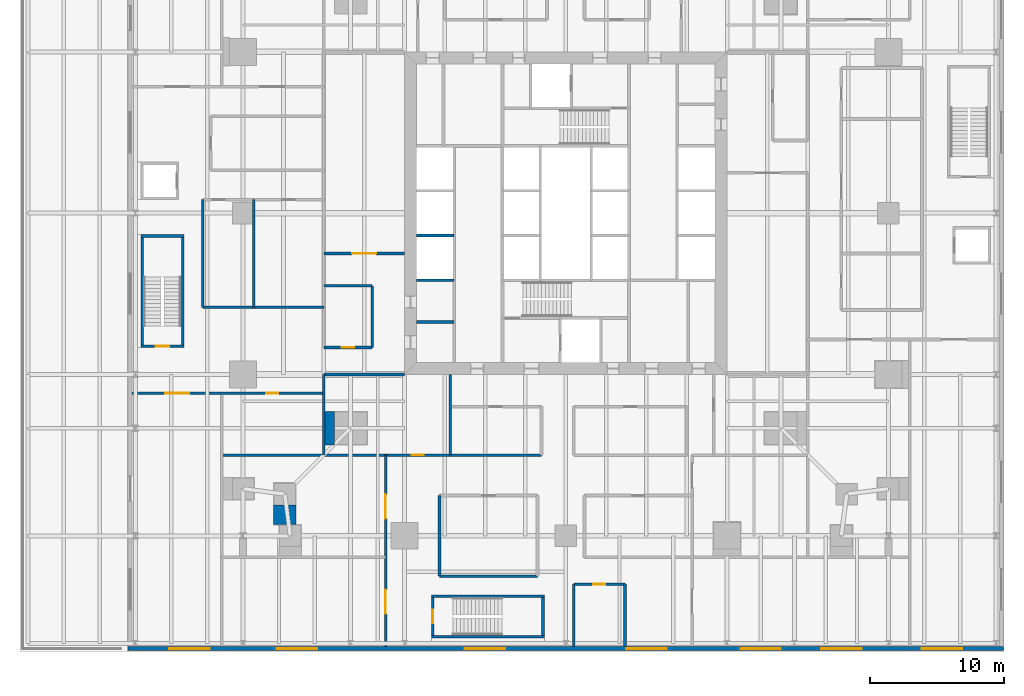
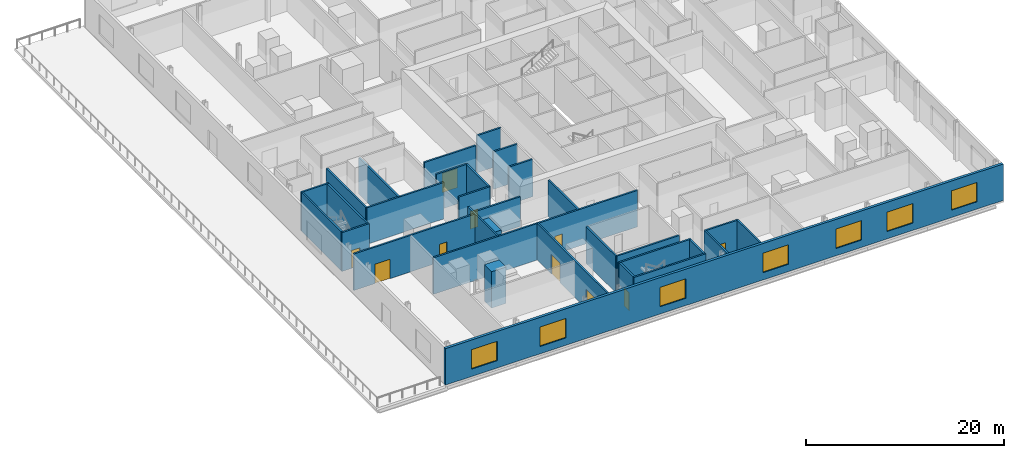
# One storey, part 8 of 17: 32 walls, 10 doors, 7 windows, 17 openings.
"""IFC4 building model written with IfcOpenShell, lengths in metres."""

from ifc_helpers import new_model, si_unit, direction, frame, frame_2d, origin, place, context, subcontext, project, spatial, rectangle, extrude, material, layer, layer_set, type_object, element, fill, save


model = new_model("IFC4")

# Units and contexts
model_context = context("Model", 3, precision=1e-05, world=origin(), true_north=direction((0.0, 1.0)))
body_context = subcontext(model_context, "Body", "Model", "MODEL_VIEW")
ifc_project = project(units=[si_unit("LENGTHUNIT", "METRE"), si_unit("AREAUNIT", "SQUARE_METRE"), si_unit("VOLUMEUNIT", "CUBIC_METRE"), si_unit("PLANEANGLEUNIT", "RADIAN"), si_unit("MASSUNIT", "GRAM", prefix="KILO")], contexts=[model_context])

# Site, building, storey
site_placement = place(None, origin())
site = spatial("IfcSite", under=ifc_project, at=site_placement, CompositionType="ELEMENT")
building_placement = place(site_placement, origin())
building = spatial("IfcBuilding", under=site, at=building_placement, Name="Fenwick Lantern Interchange", CompositionType="ELEMENT")
storey_placement = place(building_placement, frame((0.0, 0.0, 21.39990234375)))
storey = spatial("IfcBuildingStorey", under=building, at=storey_placement, Name="L04", CompositionType="ELEMENT", Elevation=21.39990234375)

# Walls
ifc_material_1 = material(Name="Fire-rated gypsum board encasement on steel studs, 2 hour", Category="steel")
ifc_layer_1 = layer(ifc_material_1, 1.699951171875)
ifc_layer_set_1 = layer_set([ifc_layer_1], Name="COLUMN PIER 1700")
wall_type_1 = type_object("IfcWallType", Name="COLUMN PIER 1700", PredefinedType="PARTITIONING", material=ifc_layer_set_1)
wall_1_placement = place(storey_placement, frame((4.10009765625, 1.85009765625, 0.0), z_axis=(0.0, 0.0, 1.0), x_axis=(0.0, 1.0, 0.0)))
element("IfcWall", 1, at=wall_1_placement, inside=storey, type_object=wall_type_1, Name="L04/W/PIER/CWR", PredefinedType="PARTITIONING", context=body_context, shape_type="SweptSolid", body=[
    extrude(rectangle(XDim=1.449951171875, YDim=1.699951171875, at=frame_2d((0.72509765625, 0.0))), origin(), (0.0, 0.0, 1.0), 4.5),
])
ifc_layer_2 = layer(ifc_material_1, 2.5)
ifc_layer_set_2 = layer_set([ifc_layer_2], Name="COLUMN PIER 2500")
wall_type_2 = type_object("IfcWallType", Name="COLUMN PIER 2500", PredefinedType="PARTITIONING", material=ifc_layer_set_2)
wall_2_placement = place(storey_placement, frame((7.10009765625, 9.0, 0.0), z_axis=(0.0, 0.0, 1.0), x_axis=(1.0, 0.0, 0.0)))
element("IfcWall", 2, at=wall_2_placement, inside=storey, type_object=wall_type_2, Name="L04/W/PIER/M1", PredefinedType="PARTITIONING", context=body_context, shape_type="SweptSolid", body=[
    extrude(rectangle(XDim=0.699951171875, YDim=2.5, at=frame_2d((0.35009765625, 0.0))), origin(), (0.0, 0.0, 1.0), 4.5),
])
ifc_material_2 = material(Name="Concrete masonry ASTM C90 Grade N", Category="masonry")
ifc_layer_3 = layer(ifc_material_2, 0.199951171875)
ifc_layer_set_3 = layer_set([ifc_layer_3], Name="Concrete masonry ASTM C90 Grade N")
wall_type_3 = type_object("IfcWallType", Name="CORE PARTITION 200", PredefinedType="PARTITIONING", material=ifc_layer_set_3)
for number, where, z_axis, x_axis, name in (
    (3, (13.89990234375, 20.0, 0.0), (0.0, 0.0, 1.0), (1.0, 0.0, 0.0), "L04/W/CORES/c2"),
    (4, (13.89990234375, 23.333251953125, 0.0), (0.0, 0.0, 1.0), (1.0, 0.0, 0.0), "L04/W/CORES/d1"),
    (5, (13.89990234375, 16.89990234375, 0.0), (0.0, 0.0, 1.0), (1.0, 0.0, 0.0), "L04/W/CORES/p1"),
):
    element("IfcWall", number, at=place(storey_placement, frame(where, z_axis=z_axis, x_axis=x_axis)), inside=storey, type_object=wall_type_3, Name=name, PredefinedType="PARTITIONING", context=body_context, shape_type="SweptSolid", body=[
        extrude(rectangle(XDim=2.800048828125, YDim=0.199951171875, at=frame_2d((1.39990234375, 0.0))), origin(), (0.0, 0.0, 1.0), 4.60009765625),
    ])

# Wall, openings, windows
ifc_material_3 = material(Name="Limestone ASTM C568 Classification II", Category="masonry")
ifc_layer_4 = layer(ifc_material_3, 0.074951171875)
ifc_material_4 = material(Name="Mineral wool insulation")
ifc_layer_5 = layer(ifc_material_4, 0.125)
ifc_material_5 = material(Name="Cold-formed galvanised steel studs", Category="steel")
ifc_layer_6 = layer(ifc_material_5, 0.10009765625)
ifc_layer_set_4 = layer_set([ifc_layer_4, ifc_layer_5, ifc_layer_6], Name="Limestone ASTM C568 Classification II")
wall_type_4 = type_object("IfcWallType", Name="LIMESTONE RAINSCREEN WALL 300", PredefinedType="SOLIDWALL", material=ifc_layer_set_4)
wall_3_placement = place(storey_placement, frame((-7.550048828125, -7.39990234375, 0.0), z_axis=(0.0, 0.0, 1.0), x_axis=(1.0, 0.0, 0.0)))
wall_3 = element("IfcWall", 6, at=wall_3_placement, inside=storey, type_object=wall_type_4, Name="L04/EW/S", PredefinedType="SOLIDWALL", context=body_context, shape_type="SweptSolid", body=[
    extrude(rectangle(XDim=65.10009765625, YDim=0.300048828125, at=frame_2d((32.550048828125, 0.0))), origin(), (0.0, 0.0, 1.0), 4.5),
])
opening_1_placement = place(wall_3_placement, frame((3.050048828125, 0.0, 0.89990234375)))
opening_1 = element("IfcOpeningElement", 7, at=opening_1_placement, cuts=wall_3, Name="Opening W1", PredefinedType="OPENING", context=body_context, shape_type="SweptSolid", body=[
    extrude(rectangle(XDim=3.0, YDim=2.39990234375, at=frame_2d((1.5, 1.199951171875))), frame((0.0, 0.159912109375, 0.0), z_axis=(0.0, -1.0, 0.0), x_axis=(1.0, 0.0, 0.0)), (0.0, 0.0, 1.0), 0.320068359375),
])
opening_2_placement = place(wall_3_placement, frame((11.050048828125, 0.0, 0.89990234375)))
opening_2 = element("IfcOpeningElement", 8, at=opening_2_placement, cuts=wall_3, Name="Opening W1", PredefinedType="OPENING", context=body_context, shape_type="SweptSolid", body=[
    extrude(rectangle(XDim=3.0, YDim=2.39990234375, at=frame_2d((1.5, 1.199951171875))), frame((0.0, 0.159912109375, 0.0), z_axis=(0.0, -1.0, 0.0), x_axis=(1.0, 0.0, 0.0)), (0.0, 0.0, 1.0), 0.320068359375),
])
opening_3_placement = place(wall_3_placement, frame((25.050048828125, 0.0, 0.89990234375)))
opening_3 = element("IfcOpeningElement", 9, at=opening_3_placement, cuts=wall_3, Name="Opening W1", PredefinedType="OPENING", context=body_context, shape_type="SweptSolid", body=[
    extrude(rectangle(XDim=3.0, YDim=2.39990234375, at=frame_2d((1.5, 1.199951171875))), frame((0.0, 0.159912109375, 0.0), z_axis=(0.0, -1.0, 0.0), x_axis=(1.0, 0.0, 0.0)), (0.0, 0.0, 1.0), 0.320068359375),
])
opening_4_placement = place(wall_3_placement, frame((37.050048828125, 0.0, 0.89990234375)))
opening_4 = element("IfcOpeningElement", 10, at=opening_4_placement, cuts=wall_3, Name="Opening W1", PredefinedType="OPENING", context=body_context, shape_type="SweptSolid", body=[
    extrude(rectangle(XDim=3.0, YDim=2.39990234375, at=frame_2d((1.5, 1.199951171875))), frame((0.0, 0.159912109375, 0.0), z_axis=(0.0, -1.0, 0.0), x_axis=(1.0, 0.0, 0.0)), (0.0, 0.0, 1.0), 0.320068359375),
])
opening_5_placement = place(wall_3_placement, frame((45.550048828125, 0.0, 0.89990234375)))
opening_5 = element("IfcOpeningElement", 11, at=opening_5_placement, cuts=wall_3, Name="Opening W1", PredefinedType="OPENING", context=body_context, shape_type="SweptSolid", body=[
    extrude(rectangle(XDim=3.0, YDim=2.39990234375, at=frame_2d((1.5, 1.199951171875))), frame((0.0, 0.159912109375, 0.0), z_axis=(0.0, -1.0, 0.0), x_axis=(1.0, 0.0, 0.0)), (0.0, 0.0, 1.0), 0.320068359375),
])
opening_6_placement = place(wall_3_placement, frame((51.550048828125, 0.0, 0.89990234375)))
opening_6 = element("IfcOpeningElement", 12, at=opening_6_placement, cuts=wall_3, Name="Opening W1", PredefinedType="OPENING", context=body_context, shape_type="SweptSolid", body=[
    extrude(rectangle(XDim=3.0, YDim=2.39990234375, at=frame_2d((1.5, 1.199951171875))), frame((0.0, 0.159912109375, 0.0), z_axis=(0.0, -1.0, 0.0), x_axis=(1.0, 0.0, 0.0)), (0.0, 0.0, 1.0), 0.320068359375),
])
opening_7_placement = place(wall_3_placement, frame((59.050048828125, 0.0, 0.89990234375)))
opening_7 = element("IfcOpeningElement", 13, at=opening_7_placement, cuts=wall_3, Name="Opening W1", PredefinedType="OPENING", context=body_context, shape_type="SweptSolid", body=[
    extrude(rectangle(XDim=3.0, YDim=2.39990234375, at=frame_2d((1.5, 1.199951171875))), frame((0.0, 0.159912109375, 0.0), z_axis=(0.0, -1.0, 0.0), x_axis=(1.0, 0.0, 0.0)), (0.0, 0.0, 1.0), 0.320068359375),
])
ifc_material_6 = material(Name="Aluminium window, clear glass", Category="aluminium")
window_type = type_object("IfcWindowType", Name="PODIUM WINDOW 3000 X 2400", PartitioningType="SINGLE_PANEL", PredefinedType="WINDOW", material=ifc_material_6)
window_1_placement = place(opening_1_placement, origin())
window_1 = element("IfcWindow", 14, at=window_1_placement, inside=storey, type_object=window_type, Name="Podium window", OverallHeight=2.39990234375, OverallWidth=3.0, PartitioningType="SINGLE_PANEL", PredefinedType="WINDOW", context=body_context, shape_type="SweptSolid", body=[
    extrude(rectangle(XDim=3.0, YDim=2.39990234375, at=frame_2d((1.5, 1.199951171875))), frame((0.0, 0.030029296875, 0.0), z_axis=(0.0, -1.0, 0.0), x_axis=(1.0, 0.0, 0.0)), (0.0, 0.0, 1.0), 0.06005859375),
])
fill(opening_1, window_1)
window_2_placement = place(opening_2_placement, origin())
window_2 = element("IfcWindow", 15, at=window_2_placement, inside=storey, type_object=window_type, Name="Podium window", OverallHeight=2.39990234375, OverallWidth=3.0, PartitioningType="SINGLE_PANEL", PredefinedType="WINDOW", context=body_context, shape_type="SweptSolid", body=[
    extrude(rectangle(XDim=3.0, YDim=2.39990234375, at=frame_2d((1.5, 1.199951171875))), frame((0.0, 0.030029296875, 0.0), z_axis=(0.0, -1.0, 0.0), x_axis=(1.0, 0.0, 0.0)), (0.0, 0.0, 1.0), 0.06005859375),
])
fill(opening_2, window_2)
window_3_placement = place(opening_3_placement, origin())
window_3 = element("IfcWindow", 16, at=window_3_placement, inside=storey, type_object=window_type, Name="Podium window", OverallHeight=2.39990234375, OverallWidth=3.0, PartitioningType="SINGLE_PANEL", PredefinedType="WINDOW", context=body_context, shape_type="SweptSolid", body=[
    extrude(rectangle(XDim=3.0, YDim=2.39990234375, at=frame_2d((1.5, 1.199951171875))), frame((0.0, 0.030029296875, 0.0), z_axis=(0.0, -1.0, 0.0), x_axis=(1.0, 0.0, 0.0)), (0.0, 0.0, 1.0), 0.06005859375),
])
fill(opening_3, window_3)
window_4_placement = place(opening_4_placement, origin())
window_4 = element("IfcWindow", 17, at=window_4_placement, inside=storey, type_object=window_type, Name="Podium window", OverallHeight=2.39990234375, OverallWidth=3.0, PartitioningType="SINGLE_PANEL", PredefinedType="WINDOW", context=body_context, shape_type="SweptSolid", body=[
    extrude(rectangle(XDim=3.0, YDim=2.39990234375, at=frame_2d((1.5, 1.199951171875))), frame((0.0, 0.030029296875, 0.0), z_axis=(0.0, -1.0, 0.0), x_axis=(1.0, 0.0, 0.0)), (0.0, 0.0, 1.0), 0.06005859375),
])
fill(opening_4, window_4)
window_5_placement = place(opening_5_placement, origin())
window_5 = element("IfcWindow", 18, at=window_5_placement, inside=storey, type_object=window_type, Name="Podium window", OverallHeight=2.39990234375, OverallWidth=3.0, PartitioningType="SINGLE_PANEL", PredefinedType="WINDOW", context=body_context, shape_type="SweptSolid", body=[
    extrude(rectangle(XDim=3.0, YDim=2.39990234375, at=frame_2d((1.5, 1.199951171875))), frame((0.0, 0.030029296875, 0.0), z_axis=(0.0, -1.0, 0.0), x_axis=(1.0, 0.0, 0.0)), (0.0, 0.0, 1.0), 0.06005859375),
])
fill(opening_5, window_5)
window_6_placement = place(opening_6_placement, origin())
window_6 = element("IfcWindow", 19, at=window_6_placement, inside=storey, type_object=window_type, Name="Podium window", OverallHeight=2.39990234375, OverallWidth=3.0, PartitioningType="SINGLE_PANEL", PredefinedType="WINDOW", context=body_context, shape_type="SweptSolid", body=[
    extrude(rectangle(XDim=3.0, YDim=2.39990234375, at=frame_2d((1.5, 1.199951171875))), frame((0.0, 0.030029296875, 0.0), z_axis=(0.0, -1.0, 0.0), x_axis=(1.0, 0.0, 0.0)), (0.0, 0.0, 1.0), 0.06005859375),
])
fill(opening_6, window_6)
window_7_placement = place(opening_7_placement, origin())
window_7 = element("IfcWindow", 20, at=window_7_placement, inside=storey, type_object=window_type, Name="Podium window", OverallHeight=2.39990234375, OverallWidth=3.0, PartitioningType="SINGLE_PANEL", PredefinedType="WINDOW", context=body_context, shape_type="SweptSolid", body=[
    extrude(rectangle(XDim=3.0, YDim=2.39990234375, at=frame_2d((1.5, 1.199951171875))), frame((0.0, 0.030029296875, 0.0), z_axis=(0.0, -1.0, 0.0), x_axis=(1.0, 0.0, 0.0)), (0.0, 0.0, 1.0), 0.06005859375),
])
fill(opening_7, window_7)

# Walls
ifc_material_7 = material(Name="Gypsum board on steel studs, 1 hour", Category="steel")
ifc_layer_7 = layer(ifc_material_7, 0.199951171875)
ifc_layer_set_5 = layer_set([ifc_layer_7], Name="ROOM WALL 200")
wall_type_5 = type_object("IfcWallType", Name="ROOM WALL 200", PredefinedType="PARTITIONING", material=ifc_layer_set_5)
for number, where, z_axis, x_axis, name in (
    (21, (-2.0, 18.0, 0.0), (0.0, 0.0, 1.0), (0.0, 1.0, 0.0), "L04/W/POD/X-2-1"),
    (22, (1.800048828125, 18.0, 0.0), (0.0, 0.0, 1.0), (0.0, 1.0, 0.0), "L04/W/POD/X1.8-1"),
):
    element("IfcWall", number, at=place(storey_placement, frame(where, z_axis=z_axis, x_axis=x_axis)), inside=storey, type_object=wall_type_5, Name=name, PredefinedType="PARTITIONING", context=body_context, shape_type="SweptSolid", body=[
        extrude(rectangle(XDim=8.0, YDim=0.199951171875, at=frame_2d((4.0, 0.0))), origin(), (0.0, 0.0, 1.0), 4.5),
    ])
wall_4_placement = place(storey_placement, frame((7.0, 7.0, 0.0), z_axis=(0.0, 0.0, 1.0), x_axis=(0.0, 1.0, 0.0)))
element("IfcWall", 23, at=wall_4_placement, inside=storey, type_object=wall_type_5, Name="L04/W/POD/X7-1", PredefinedType="PARTITIONING", context=body_context, shape_type="SweptSolid", body=[
    extrude(rectangle(XDim=6.0, YDim=0.199951171875, at=frame_2d((3.0, 0.0))), origin(), (0.0, 0.0, 1.0), 4.5),
])
wall_5_placement = place(storey_placement, frame((10.60009765625, 15.0, 0.0), z_axis=(0.0, 0.0, 1.0), x_axis=(0.0, 1.0, 0.0)))
element("IfcWall", 24, at=wall_5_placement, inside=storey, type_object=wall_type_5, Name="L04/W/POD/X10.6-1", PredefinedType="PARTITIONING", context=body_context, shape_type="SweptSolid", body=[
    extrude(rectangle(XDim=4.60009765625, YDim=0.199951171875, at=frame_2d((2.300048828125, 0.0))), origin(), (0.0, 0.0, 1.0), 4.5),
])

# Wall, openings, doors
wall_6_placement = place(storey_placement, frame((11.60009765625, -7.25, 0.0), z_axis=(0.0, 0.0, 1.0), x_axis=(0.0, 1.0, 0.0)))
wall_6 = element("IfcWall", 25, at=wall_6_placement, inside=storey, type_object=wall_type_5, Name="L04/W/POD/X11.6-1", PredefinedType="PARTITIONING", context=body_context, shape_type="SweptSolid", body=[
    extrude(rectangle(XDim=14.25, YDim=0.199951171875, at=frame_2d((7.125, 0.0))), origin(), (0.0, 0.0, 1.0), 4.5),
])
opening_8_placement = place(wall_6_placement, frame((2.449951171875, 0.0, 0.0)))
opening_8 = element("IfcOpeningElement", 26, at=opening_8_placement, cuts=wall_6, Name="Opening L04-D023", PredefinedType="OPENING", context=body_context, shape_type="SweptSolid", body=[
    extrude(rectangle(XDim=1.800048828125, YDim=2.39990234375, at=frame_2d((0.89990234375, 1.199951171875))), frame((0.0, 0.10986328125, 0.0), z_axis=(0.0, -1.0, 0.0), x_axis=(1.0, 0.0, 0.0)), (0.0, 0.0, 1.0), 0.219970703125),
])
opening_9_placement = place(wall_6_placement, frame((9.52490234375, 0.0, 0.0)))
opening_9 = element("IfcOpeningElement", 27, at=opening_9_placement, cuts=wall_6, Name="Opening L04-D024", PredefinedType="OPENING", context=body_context, shape_type="SweptSolid", body=[
    extrude(rectangle(XDim=1.800048828125, YDim=2.39990234375, at=frame_2d((0.89990234375, 1.199951171875))), frame((0.0, 0.10986328125, 0.0), z_axis=(0.0, -1.0, 0.0), x_axis=(1.0, 0.0, 0.0)), (0.0, 0.0, 1.0), 0.219970703125),
])
ifc_material_8 = material(Name="Steel door and frame", Category="steel")
door_type_1 = type_object("IfcDoorType", Name="ROOM DOOR PAIR 1800 X 2400", OperationType="DOUBLE_DOOR_SINGLE_SWING", PredefinedType="DOOR", material=ifc_material_8)
door_1_placement = place(opening_8_placement, frame((1.800048828125, 0.0, 0.0), z_axis=(0.0, 0.0, 1.0), x_axis=(-1.0, 0.0, 0.0)))
door_1 = element("IfcDoor", 28, at=door_1_placement, inside=storey, type_object=door_type_1, Name="Room door pair", OperationType="DOUBLE_DOOR_SINGLE_SWING", OverallHeight=2.39990234375, OverallWidth=1.800048828125, PredefinedType="DOOR", context=body_context, shape_type="SweptSolid", body=[
    extrude(rectangle(XDim=1.800048828125, YDim=2.39990234375, at=frame_2d((0.89990234375, 1.199951171875))), frame((0.0, 0.02490234375, 0.0), z_axis=(0.0, -1.0, 0.0), x_axis=(1.0, 0.0, 0.0)), (0.0, 0.0, 1.0), 0.050048828125),
])
fill(opening_8, door_1)
door_2_placement = place(opening_9_placement, frame((1.800048828125, 0.0, 0.0), z_axis=(0.0, 0.0, 1.0), x_axis=(-1.0, 0.0, 0.0)))
door_2 = element("IfcDoor", 29, at=door_2_placement, inside=storey, type_object=door_type_1, Name="Room door pair", OperationType="DOUBLE_DOOR_SINGLE_SWING", OverallHeight=2.39990234375, OverallWidth=1.800048828125, PredefinedType="DOOR", context=body_context, shape_type="SweptSolid", body=[
    extrude(rectangle(XDim=1.800048828125, YDim=2.39990234375, at=frame_2d((0.89990234375, 1.199951171875))), frame((0.0, 0.02490234375, 0.0), z_axis=(0.0, -1.0, 0.0), x_axis=(1.0, 0.0, 0.0)), (0.0, 0.0, 1.0), 0.050048828125),
])
fill(opening_9, door_2)

# Walls
for number, where, z_axis, x_axis, name in (
    (30, (15.60009765625, -2.0, 0.0), (0.0, 0.0, 1.0), (0.0, 1.0, 0.0), "L04/W/POD/X15.6-1"),
    (31, (16.39990234375, 7.0, 0.0), (0.0, 0.0, 1.0), (0.0, 1.0, 0.0), "L04/W/POD/X16.4-1"),
):
    element("IfcWall", number, at=place(storey_placement, frame(where, z_axis=z_axis, x_axis=x_axis)), inside=storey, type_object=wall_type_5, Name=name, PredefinedType="PARTITIONING", context=body_context, shape_type="SweptSolid", body=[
        extrude(rectangle(XDim=6.0, YDim=0.199951171875, at=frame_2d((3.0, 0.0))), origin(), (0.0, 0.0, 1.0), 4.5),
    ])
for number, where, z_axis, x_axis, name in (
    (32, (25.60009765625, -7.25, 0.0), (0.0, 0.0, 1.0), (0.0, 1.0, 0.0), "L04/W/POD/X25.6-1"),
    (33, (29.39990234375, -7.25, 0.0), (0.0, 0.0, 1.0), (0.0, 1.0, 0.0), "L04/W/POD/X29.4-1"),
):
    element("IfcWall", number, at=place(storey_placement, frame(where, z_axis=z_axis, x_axis=x_axis)), inside=storey, type_object=wall_type_5, Name=name, PredefinedType="PARTITIONING", context=body_context, shape_type="SweptSolid", body=[
        extrude(rectangle(XDim=4.64990234375, YDim=0.199951171875, at=frame_2d((2.324951171875, 0.0))), origin(), (0.0, 0.0, 1.0), 4.5),
    ])

# Wall, opening, door
wall_7_placement = place(storey_placement, frame((25.60009765625, -2.60009765625, 0.0), z_axis=(0.0, 0.0, 1.0), x_axis=(1.0, 0.0, 0.0)))
wall_7 = element("IfcWall", 34, at=wall_7_placement, inside=storey, type_object=wall_type_5, Name="L04/W/POD/Y-2.6-1", PredefinedType="PARTITIONING", context=body_context, shape_type="SweptSolid", body=[
    extrude(rectangle(XDim=3.7998046875, YDim=0.199951171875, at=frame_2d((1.89990234375, 0.0))), origin(), (0.0, 0.0, 1.0), 4.5),
])
opening_10_placement = place(wall_7_placement, frame((1.449951171875, 0.0, 0.0)))
opening_10 = element("IfcOpeningElement", 35, at=opening_10_placement, cuts=wall_7, Name="Opening L04-D054", PredefinedType="OPENING", context=body_context, shape_type="SweptSolid", body=[
    extrude(rectangle(XDim=0.89990234375, YDim=2.199951171875, at=frame_2d((0.449951171875, 1.10009765625))), frame((0.0, 0.10986328125, 0.0), z_axis=(0.0, -1.0, 0.0), x_axis=(1.0, 0.0, 0.0)), (0.0, 0.0, 1.0), 0.219970703125),
])
ifc_material_9 = material(Name="Hardwood door and steel frame", Category="steel")
door_type_2 = type_object("IfcDoorType", Name="OFFICE DOOR 900 X 2200", OperationType="SINGLE_SWING_LEFT", PredefinedType="DOOR", material=ifc_material_9)
door_3_placement = place(opening_10_placement, frame((0.89990234375, 0.0, 0.0), z_axis=(0.0, 0.0, 1.0), x_axis=(-1.0, 0.0, 0.0)))
door_3 = element("IfcDoor", 36, at=door_3_placement, inside=storey, type_object=door_type_2, Name="Office door", OperationType="SINGLE_SWING_RIGHT", OverallHeight=2.199951171875, OverallWidth=0.89990234375, PredefinedType="DOOR", context=body_context, shape_type="SweptSolid", body=[
    extrude(rectangle(XDim=0.89990234375, YDim=2.199951171875, at=frame_2d((0.449951171875, 1.10009765625))), frame((0.0, 0.02490234375, 0.0), z_axis=(0.0, -1.0, 0.0), x_axis=(1.0, 0.0, 0.0)), (0.0, 0.0, 1.0), 0.050048828125),
])
fill(opening_10, door_3)

# Wall
wall_8_placement = place(storey_placement, frame((15.60009765625, -2.0, 0.0), z_axis=(0.0, 0.0, 1.0), x_axis=(1.0, 0.0, 0.0)))
element("IfcWall", 37, at=wall_8_placement, inside=storey, type_object=wall_type_5, Name="L04/W/POD/Y-2-1", PredefinedType="PARTITIONING", context=body_context, shape_type="SweptSolid", body=[
    extrude(rectangle(XDim=7.2998046875, YDim=0.199951171875, at=frame_2d((3.64990234375, 0.0))), origin(), (0.0, 0.0, 1.0), 4.5),
])

# Wall, opening, door
wall_9_placement = place(storey_placement, frame((-0.60009765625, 7.0, 0.0), z_axis=(0.0, 0.0, 1.0), x_axis=(1.0, 0.0, 0.0)))
wall_9 = element("IfcWall", 38, at=wall_9_placement, inside=storey, type_object=wall_type_5, Name="L04/W/POD/Y7-1", PredefinedType="PARTITIONING", context=body_context, shape_type="SweptSolid", body=[
    extrude(rectangle(XDim=23.800048828125, YDim=0.199951171875, at=frame_2d((11.89990234375, 0.0))), origin(), (0.0, 0.0, 1.0), 4.5),
])
opening_11_placement = place(wall_9_placement, frame((14.14990234375, 0.0, 0.0)))
opening_11 = element("IfcOpeningElement", 39, at=opening_11_placement, cuts=wall_9, Name="Opening L04-D041", PredefinedType="OPENING", context=body_context, shape_type="SweptSolid", body=[
    extrude(rectangle(XDim=0.89990234375, YDim=2.199951171875, at=frame_2d((0.449951171875, 1.10009765625))), frame((0.0, 0.10986328125, 0.0), z_axis=(0.0, -1.0, 0.0), x_axis=(1.0, 0.0, 0.0)), (0.0, 0.0, 1.0), 0.219970703125),
])
door_4_placement = place(opening_11_placement, origin())
door_4 = element("IfcDoor", 40, at=door_4_placement, inside=storey, type_object=door_type_2, Name="Office door", OperationType="SINGLE_SWING_RIGHT", OverallHeight=2.199951171875, OverallWidth=0.89990234375, PredefinedType="DOOR", context=body_context, shape_type="SweptSolid", body=[
    extrude(rectangle(XDim=0.89990234375, YDim=2.199951171875, at=frame_2d((0.449951171875, 1.10009765625))), frame((0.0, 0.02490234375, 0.0), z_axis=(0.0, -1.0, 0.0), x_axis=(1.0, 0.0, 0.0)), (0.0, 0.0, 1.0), 0.050048828125),
])
fill(opening_11, door_4)

# Wall, openings, doors
wall_10_placement = place(storey_placement, frame((-7.25, 11.60009765625, 0.0), z_axis=(0.0, 0.0, 1.0), x_axis=(1.0, 0.0, 0.0)))
wall_10 = element("IfcWall", 41, at=wall_10_placement, inside=storey, type_object=wall_type_5, Name="L04/W/POD/Y11.6-1", PredefinedType="PARTITIONING", context=body_context, shape_type="SweptSolid", body=[
    extrude(rectangle(XDim=14.25, YDim=0.199951171875, at=frame_2d((7.125, 0.0))), origin(), (0.0, 0.0, 1.0), 4.5),
])
opening_12_placement = place(wall_10_placement, frame((2.449951171875, 0.0, 0.0)))
opening_12 = element("IfcOpeningElement", 42, at=opening_12_placement, cuts=wall_10, Name="Opening L04-D025", PredefinedType="OPENING", context=body_context, shape_type="SweptSolid", body=[
    extrude(rectangle(XDim=1.800048828125, YDim=2.39990234375, at=frame_2d((0.89990234375, 1.199951171875))), frame((0.0, 0.10986328125, 0.0), z_axis=(0.0, -1.0, 0.0), x_axis=(1.0, 0.0, 0.0)), (0.0, 0.0, 1.0), 0.219970703125),
])
opening_13_placement = place(wall_10_placement, frame((9.97509765625, 0.0, 0.0)))
opening_13 = element("IfcOpeningElement", 43, at=opening_13_placement, cuts=wall_10, Name="Opening L04-D026", PredefinedType="OPENING", context=body_context, shape_type="SweptSolid", body=[
    extrude(rectangle(XDim=0.89990234375, YDim=2.199951171875, at=frame_2d((0.449951171875, 1.10009765625))), frame((0.0, 0.10986328125, 0.0), z_axis=(0.0, -1.0, 0.0), x_axis=(1.0, 0.0, 0.0)), (0.0, 0.0, 1.0), 0.219970703125),
])
door_5_placement = place(opening_13_placement, frame((0.89990234375, 0.0, 0.0), z_axis=(0.0, 0.0, 1.0), x_axis=(-1.0, 0.0, 0.0)))
door_5 = element("IfcDoor", 44, at=door_5_placement, inside=storey, type_object=door_type_2, Name="Office door", OperationType="SINGLE_SWING_RIGHT", OverallHeight=2.199951171875, OverallWidth=0.89990234375, PredefinedType="DOOR", context=body_context, shape_type="SweptSolid", body=[
    extrude(rectangle(XDim=0.89990234375, YDim=2.199951171875, at=frame_2d((0.449951171875, 1.10009765625))), frame((0.0, 0.02490234375, 0.0), z_axis=(0.0, -1.0, 0.0), x_axis=(1.0, 0.0, 0.0)), (0.0, 0.0, 1.0), 0.050048828125),
])
fill(opening_13, door_5)
door_6_placement = place(opening_12_placement, origin())
door_6 = element("IfcDoor", 45, at=door_6_placement, inside=storey, type_object=door_type_1, Name="Room door pair", OperationType="DOUBLE_DOOR_SINGLE_SWING", OverallHeight=2.39990234375, OverallWidth=1.800048828125, PredefinedType="DOOR", context=body_context, shape_type="SweptSolid", body=[
    extrude(rectangle(XDim=1.800048828125, YDim=2.39990234375, at=frame_2d((0.89990234375, 1.199951171875))), frame((0.0, 0.02490234375, 0.0), z_axis=(0.0, -1.0, 0.0), x_axis=(1.0, 0.0, 0.0)), (0.0, 0.0, 1.0), 0.050048828125),
])
fill(opening_12, door_6)

# Wall
wall_11_placement = place(storey_placement, frame((7.0, 13.0, 0.0), z_axis=(0.0, 0.0, 1.0), x_axis=(1.0, 0.0, 0.0)))
element("IfcWall", 46, at=wall_11_placement, inside=storey, type_object=wall_type_5, Name="L04/W/POD/Y13-1", PredefinedType="PARTITIONING", context=body_context, shape_type="SweptSolid", body=[
    extrude(rectangle(XDim=6.0, YDim=0.199951171875, at=frame_2d((3.0, 0.0))), origin(), (0.0, 0.0, 1.0), 3.652587890625),
])

# Wall, opening, door
wall_12_placement = place(storey_placement, frame((7.0, 15.0, 0.0), z_axis=(0.0, 0.0, 1.0), x_axis=(1.0, 0.0, 0.0)))
wall_12 = element("IfcWall", 47, at=wall_12_placement, inside=storey, type_object=wall_type_5, Name="L04/W/POD/Y15-1", PredefinedType="PARTITIONING", context=body_context, shape_type="SweptSolid", body=[
    extrude(rectangle(XDim=3.60009765625, YDim=0.199951171875, at=frame_2d((1.800048828125, 0.0))), origin(), (0.0, 0.0, 1.0), 4.5),
])
opening_14_placement = place(wall_12_placement, frame((1.35009765625, 0.0, 0.0)))
opening_14 = element("IfcOpeningElement", 48, at=opening_14_placement, cuts=wall_12, Name="Opening L04-D061", PredefinedType="OPENING", context=body_context, shape_type="SweptSolid", body=[
    extrude(rectangle(XDim=0.89990234375, YDim=2.199951171875, at=frame_2d((0.449951171875, 1.10009765625))), frame((0.0, 0.10986328125, 0.0), z_axis=(0.0, -1.0, 0.0), x_axis=(1.0, 0.0, 0.0)), (0.0, 0.0, 1.0), 0.219970703125),
])
door_7_placement = place(opening_14_placement, origin())
door_7 = element("IfcDoor", 49, at=door_7_placement, inside=storey, type_object=door_type_2, Name="Office door", OperationType="SINGLE_SWING_LEFT", OverallHeight=2.199951171875, OverallWidth=0.89990234375, PredefinedType="DOOR", context=body_context, shape_type="SweptSolid", body=[
    extrude(rectangle(XDim=0.89990234375, YDim=2.199951171875, at=frame_2d((0.449951171875, 1.10009765625))), frame((0.0, 0.02490234375, 0.0), z_axis=(0.0, -1.0, 0.0), x_axis=(1.0, 0.0, 0.0)), (0.0, 0.0, 1.0), 0.050048828125),
])
fill(opening_14, door_7)

# Walls
wall_13_placement = place(storey_placement, frame((-2.0, 18.0, 0.0), z_axis=(0.0, 0.0, 1.0), x_axis=(1.0, 0.0, 0.0)))
element("IfcWall", 50, at=wall_13_placement, inside=storey, type_object=wall_type_5, Name="L04/W/POD/Y18-1", PredefinedType="PARTITIONING", context=body_context, shape_type="SweptSolid", body=[
    extrude(rectangle(XDim=9.0, YDim=0.199951171875, at=frame_2d((4.5, 0.0))), origin(), (0.0, 0.0, 1.0), 4.5),
])
wall_14_placement = place(storey_placement, frame((7.0, 19.60009765625, 0.0), z_axis=(0.0, 0.0, 1.0), x_axis=(1.0, 0.0, 0.0)))
element("IfcWall", 51, at=wall_14_placement, inside=storey, type_object=wall_type_5, Name="L04/W/POD/Y19.6-1", PredefinedType="PARTITIONING", context=body_context, shape_type="SweptSolid", body=[
    extrude(rectangle(XDim=3.60009765625, YDim=0.199951171875, at=frame_2d((1.800048828125, 0.0))), origin(), (0.0, 0.0, 1.0), 4.5),
])

# Wall, opening, door
wall_15_placement = place(storey_placement, frame((7.0, 22.0, 0.0), z_axis=(0.0, 0.0, 1.0), x_axis=(1.0, 0.0, 0.0)))
wall_15 = element("IfcWall", 52, at=wall_15_placement, inside=storey, type_object=wall_type_5, Name="L04/W/POD/Y22-1", PredefinedType="PARTITIONING", context=body_context, shape_type="SweptSolid", body=[
    extrude(rectangle(XDim=6.0, YDim=0.199951171875, at=frame_2d((3.0, 0.0))), origin(), (0.0, 0.0, 1.0), 4.5),
])
opening_15_placement = place(wall_15_placement, frame((2.099853515625, 0.0, 0.0)))
opening_15 = element("IfcOpeningElement", 53, at=opening_15_placement, cuts=wall_15, Name="Opening L04-D039", PredefinedType="OPENING", context=body_context, shape_type="SweptSolid", body=[
    extrude(rectangle(XDim=1.800048828125, YDim=2.39990234375, at=frame_2d((0.89990234375, 1.199951171875))), frame((0.0, 0.10986328125, 0.0), z_axis=(0.0, -1.0, 0.0), x_axis=(1.0, 0.0, 0.0)), (0.0, 0.0, 1.0), 0.219970703125),
])
door_8_placement = place(opening_15_placement, frame((1.800048828125, 0.0, 0.0), z_axis=(0.0, 0.0, 1.0), x_axis=(-1.0, 0.0, 0.0)))
door_8 = element("IfcDoor", 54, at=door_8_placement, inside=storey, type_object=door_type_1, Name="Room door pair", OperationType="DOUBLE_DOOR_SINGLE_SWING", OverallHeight=2.39990234375, OverallWidth=1.800048828125, PredefinedType="DOOR", context=body_context, shape_type="SweptSolid", body=[
    extrude(rectangle(XDim=1.800048828125, YDim=2.39990234375, at=frame_2d((0.89990234375, 1.199951171875))), frame((0.0, 0.02490234375, 0.0), z_axis=(0.0, -1.0, 0.0), x_axis=(1.0, 0.0, 0.0)), (0.0, 0.0, 1.0), 0.050048828125),
])
fill(opening_15, door_8)

# Walls
ifc_material_10 = material(Name="Reinforced concrete masonry ASTM C90 Grade N", Category="masonry")
ifc_layer_8 = layer(ifc_material_10, 0.199951171875)
ifc_layer_set_6 = layer_set([ifc_layer_8], Name="Reinforced concrete masonry ASTM C90 Grade N")
wall_type_6 = type_object("IfcWallType", Name="STAIR ENCLOSURE 200", PredefinedType="SOLIDWALL", material=ifc_layer_set_6)
wall_16_placement = place(storey_placement, frame((15.0, -6.5, 0.0), z_axis=(0.0, 0.0, 1.0), x_axis=(1.0, 0.0, 0.0)))
element("IfcWall", 55, at=wall_16_placement, inside=storey, type_object=wall_type_6, Name="L04/W/PS2/S", PredefinedType="SOLIDWALL", context=body_context, shape_type="SweptSolid", body=[
    extrude(rectangle(XDim=8.39990234375, YDim=0.199951171875, at=frame_2d((4.199951171875, 0.0))), origin(), (0.0, 0.0, 1.0), 4.800048828125),
])
wall_17_placement = place(storey_placement, frame((23.300048828125, -6.39990234375, 0.0), z_axis=(0.0, 0.0, 1.0), x_axis=(0.0, 1.0, 0.0)))
element("IfcWall", 56, at=wall_17_placement, inside=storey, type_object=wall_type_6, Name="L04/W/PS2/E", PredefinedType="SOLIDWALL", context=body_context, shape_type="SweptSolid", body=[
    extrude(rectangle(XDim=2.7998046875, YDim=0.199951171875, at=frame_2d((1.39990234375, 0.0))), origin(), (0.0, 0.0, 1.0), 4.800048828125),
])
wall_18_placement = place(storey_placement, frame((23.39990234375, -3.5, 0.0), z_axis=(0.0, 0.0, 1.0), x_axis=(-1.0, 0.0, 0.0)))
element("IfcWall", 57, at=wall_18_placement, inside=storey, type_object=wall_type_6, Name="L04/W/PS2/N", PredefinedType="SOLIDWALL", context=body_context, shape_type="SweptSolid", body=[
    extrude(rectangle(XDim=8.39990234375, YDim=0.199951171875, at=frame_2d((4.199951171875, 0.0))), origin(), (0.0, 0.0, 1.0), 4.800048828125),
])

# Wall, opening, door
wall_19_placement = place(storey_placement, frame((15.10009765625, -3.60009765625, 0.0), z_axis=(0.0, 0.0, 1.0), x_axis=(0.0, -1.0, 0.0)))
wall_19 = element("IfcWall", 58, at=wall_19_placement, inside=storey, type_object=wall_type_6, Name="L04/W/PS2/W", PredefinedType="SOLIDWALL", context=body_context, shape_type="SweptSolid", body=[
    extrude(rectangle(XDim=2.7998046875, YDim=0.199951171875, at=frame_2d((1.39990234375, 0.0))), origin(), (0.0, 0.0, 1.0), 4.800048828125),
])
opening_16_placement = place(wall_19_placement, frame((0.89990234375, 0.0, 0.0)))
opening_16 = element("IfcOpeningElement", 59, at=opening_16_placement, cuts=wall_19, Name="Opening L04-D020", PredefinedType="OPENING", context=body_context, shape_type="SweptSolid", body=[
    extrude(rectangle(XDim=1.0, YDim=2.199951171875, at=frame_2d((0.5, 1.10009765625))), frame((0.0, 0.10986328125, 0.0), z_axis=(0.0, -1.0, 0.0), x_axis=(1.0, 0.0, 0.0)), (0.0, 0.0, 1.0), 0.219970703125),
])
door_type_3 = type_object("IfcDoorType", Name="STAIR DOOR 1000 X 2200", OperationType="SINGLE_SWING_LEFT", PredefinedType="DOOR", material=ifc_material_8)
door_9_placement = place(opening_16_placement, origin())
door_9 = element("IfcDoor", 60, at=door_9_placement, inside=storey, type_object=door_type_3, Name="Stair door", OperationType="SINGLE_SWING_LEFT", OverallHeight=2.199951171875, OverallWidth=1.0, PredefinedType="DOOR", context=body_context, shape_type="SweptSolid", body=[
    extrude(rectangle(XDim=1.0, YDim=2.199951171875, at=frame_2d((0.5, 1.10009765625))), frame((0.0, 0.02490234375, 0.0), z_axis=(0.0, -1.0, 0.0), x_axis=(1.0, 0.0, 0.0)), (0.0, 0.0, 1.0), 0.050048828125),
])
fill(opening_16, door_9)

wall_20_placement = place(storey_placement, frame((-6.60009765625, 15.10009765625, 0.0), z_axis=(0.0, 0.0, 1.0), x_axis=(1.0, 0.0, 0.0)))
wall_20 = element("IfcWall", 61, at=wall_20_placement, inside=storey, type_object=wall_type_6, Name="L04/W/PS3/S", PredefinedType="SOLIDWALL", context=body_context, shape_type="SweptSolid", body=[
    extrude(rectangle(XDim=3.2001953125, YDim=0.199951171875, at=frame_2d((1.60009765625, 0.0))), origin(), (0.0, 0.0, 1.0), 4.800048828125),
])
opening_17_placement = place(wall_20_placement, frame((1.10009765625, 0.0, 0.0)))
opening_17 = element("IfcOpeningElement", 62, at=opening_17_placement, cuts=wall_20, Name="Opening L04-D021", PredefinedType="OPENING", context=body_context, shape_type="SweptSolid", body=[
    extrude(rectangle(XDim=1.0, YDim=2.199951171875, at=frame_2d((0.5, 1.10009765625))), frame((0.0, 0.10986328125, 0.0), z_axis=(0.0, -1.0, 0.0), x_axis=(1.0, 0.0, 0.0)), (0.0, 0.0, 1.0), 0.219970703125),
])
door_10_placement = place(opening_17_placement, origin())
door_10 = element("IfcDoor", 63, at=door_10_placement, inside=storey, type_object=door_type_3, Name="Stair door", OperationType="SINGLE_SWING_LEFT", OverallHeight=2.199951171875, OverallWidth=1.0, PredefinedType="DOOR", context=body_context, shape_type="SweptSolid", body=[
    extrude(rectangle(XDim=1.0, YDim=2.199951171875, at=frame_2d((0.5, 1.10009765625))), frame((0.0, 0.02490234375, 0.0), z_axis=(0.0, -1.0, 0.0), x_axis=(1.0, 0.0, 0.0)), (0.0, 0.0, 1.0), 0.050048828125),
])
fill(opening_17, door_10)

# Walls
wall_21_placement = place(storey_placement, frame((-3.5, 15.199951171875, 0.0), z_axis=(0.0, 0.0, 1.0), x_axis=(0.0, 1.0, 0.0)))
element("IfcWall", 64, at=wall_21_placement, inside=storey, type_object=wall_type_6, Name="L04/W/PS3/E", PredefinedType="SOLIDWALL", context=body_context, shape_type="SweptSolid", body=[
    extrude(rectangle(XDim=8.0, YDim=0.199951171875, at=frame_2d((4.0, 0.0))), origin(), (0.0, 0.0, 1.0), 4.800048828125),
])
wall_22_placement = place(storey_placement, frame((-3.39990234375, 23.300048828125, 0.0), z_axis=(0.0, 0.0, 1.0), x_axis=(-1.0, 0.0, 0.0)))
element("IfcWall", 65, at=wall_22_placement, inside=storey, type_object=wall_type_6, Name="L04/W/PS3/N", PredefinedType="SOLIDWALL", context=body_context, shape_type="SweptSolid", body=[
    extrude(rectangle(XDim=3.2001953125, YDim=0.199951171875, at=frame_2d((1.60009765625, 0.0))), origin(), (0.0, 0.0, 1.0), 4.800048828125),
])
wall_23_placement = place(storey_placement, frame((-6.5, 23.199951171875, 0.0), z_axis=(0.0, 0.0, 1.0), x_axis=(0.0, -1.0, 0.0)))
element("IfcWall", 66, at=wall_23_placement, inside=storey, type_object=wall_type_6, Name="L04/W/PS3/W", PredefinedType="SOLIDWALL", context=body_context, shape_type="SweptSolid", body=[
    extrude(rectangle(XDim=8.0, YDim=0.199951171875, at=frame_2d((4.0, 0.0))), origin(), (0.0, 0.0, 1.0), 4.800048828125),
])

save(model, "model.ifc")
